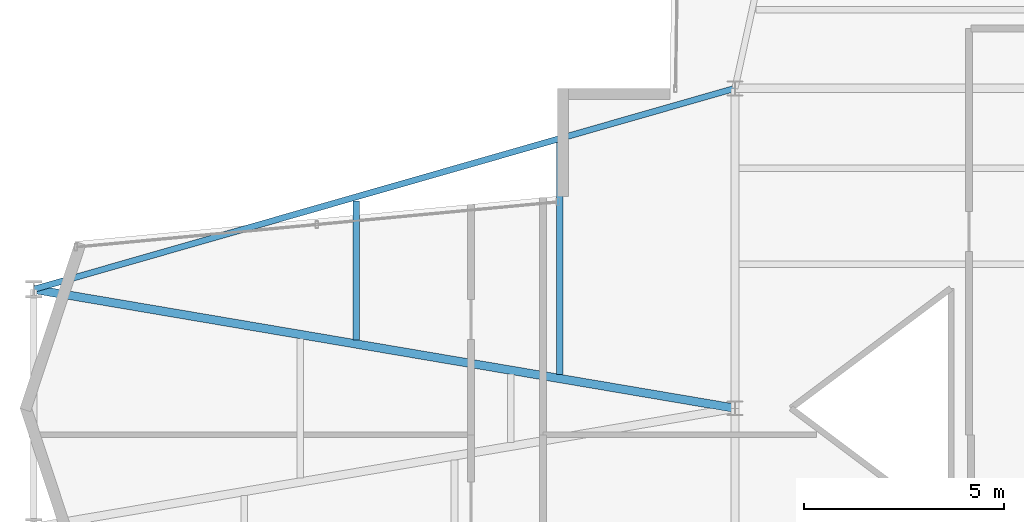
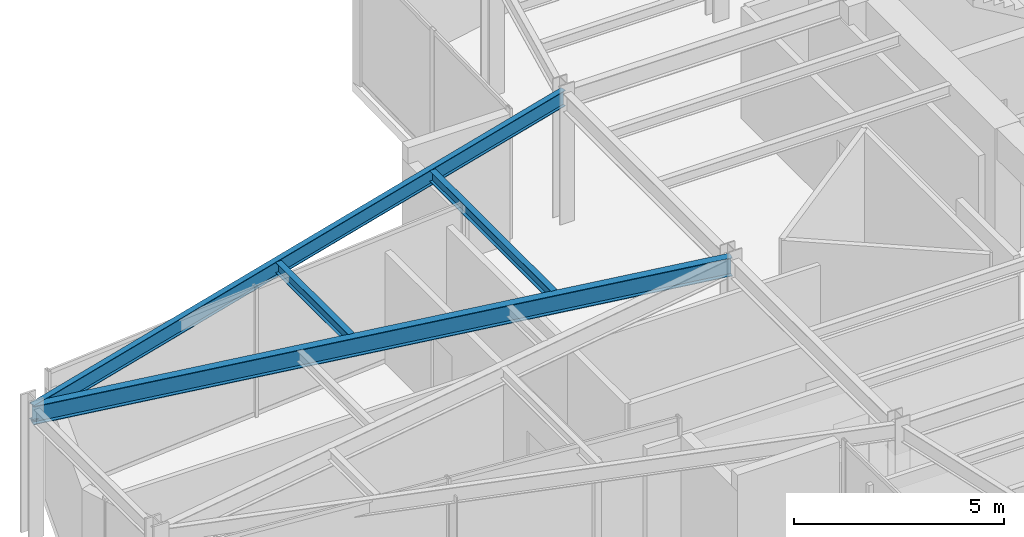
# One storey, part 9 of 24: 4 beams.
"""IFC4 building model written with IfcOpenShell, lengths in metres."""

from ifc_helpers import new_model, si_unit, direction, frame, origin, origin_2d, place, context, subcontext, project, spatial, i_section, extrude, material, material_profile, profile_set, type_object, element, save


model = new_model("IFC4")

# Units and contexts
model_context = context("Model", 3, precision=1e-05, world=origin(), true_north=direction((0.0, 1.0)))
body_context = subcontext(model_context, "Body", "Model", "MODEL_VIEW")
ifc_project = project(units=[si_unit("LENGTHUNIT", "METRE"), si_unit("AREAUNIT", "SQUARE_METRE"), si_unit("VOLUMEUNIT", "CUBIC_METRE"), si_unit("PLANEANGLEUNIT", "RADIAN"), si_unit("MASSUNIT", "GRAM", prefix="KILO")], contexts=[model_context])

# Site, building, storey
site_placement = place(None, origin())
site = spatial("IfcSite", under=ifc_project, at=site_placement, CompositionType="ELEMENT")
building_placement = place(site_placement, origin())
building = spatial("IfcBuilding", under=site, at=building_placement, Name="Veymaron Broadcast Tower", CompositionType="ELEMENT")
storey_placement = place(building_placement, frame((0.0, 0.0, 220.199951171875)))
storey = spatial("IfcBuildingStorey", under=building, at=storey_placement, Name="L51", CompositionType="ELEMENT", Elevation=220.199951171875)

# Beams
ifc_material = material(Name="Structural steel ASTM A992 Gr 50", Category="steel")
ifc_material_profile_1 = material_profile(ifc_material, i_section(OverallWidth=0.2099609375, OverallDepth=0.537109375, WebThickness=0.010986328125, FlangeThickness=0.017333984375, at=origin_2d()), Name="W530X101")
ifc_profile_set_1 = profile_set([ifc_material_profile_1], Name="Structural steel ASTM A992 Gr 50")
beam_type_1 = type_object("IfcBeamType", Name="BM-FG3", PredefinedType="BEAM", material=ifc_profile_set_1)
beam_1_placement = place(storey_placement, frame((13.6650390625, 26.97509765625, 3.521484375), z_axis=(0.985910023747, -0.167276492897, 0.0), x_axis=(0.167276492897, 0.985910023747, 0.0)))
element("IfcBeam", 1, at=beam_1_placement, inside=storey, type_object=beam_type_1, Name="L51 primary structural floor girder", PredefinedType="BEAM", context=body_context, shape_type="SweptSolid", body=[
    extrude(i_section(OverallWidth=0.2099609375, OverallDepth=0.537109375, WebThickness=0.010986328125, FlangeThickness=0.017333984375, at=origin_2d()), origin(), (0.0, 0.0, 1.0), 17.785400390625),
])
ifc_material_profile_2 = material_profile(ifc_material, i_section(OverallWidth=0.1650390625, OverallDepth=0.31005859375, WebThickness=0.005859375, FlangeThickness=0.009765625, at=origin_2d()), Name="W310X39")
ifc_profile_set_2 = profile_set([ifc_material_profile_2], Name="Structural steel ASTM A992 Gr 50")
beam_type_2 = type_object("IfcBeamType", Name="BM-JS3", PredefinedType="JOIST", material=ifc_profile_set_2)
beam_2_placement = place(storey_placement, frame((21.731201171875, 25.70654296875, 3.635009765625), z_axis=(0.0, 1.0, 0.0), x_axis=(-1.0, 0.0, 0.0)))
element("IfcBeam", 2, at=beam_2_placement, inside=storey, type_object=beam_type_2, Name="L51 Arm-A secondary joist 1N", PredefinedType="JOIST", context=body_context, shape_type="SweptSolid", body=[
    extrude(i_section(OverallWidth=0.1650390625, OverallDepth=0.31005859375, WebThickness=0.005859375, FlangeThickness=0.009765625, at=origin_2d()), origin(), (0.0, 0.0, 1.0), 3.47998046875),
])
beam_3_placement = place(storey_placement, frame((26.81640625, 24.84375, 3.635009765625), z_axis=(0.0, 1.0, 0.0), x_axis=(-1.0, 0.0, 0.0)))
element("IfcBeam", 3, at=beam_3_placement, inside=storey, type_object=beam_type_2, Name="L51 Arm-A secondary joist 2N", PredefinedType="JOIST", context=body_context, shape_type="SweptSolid", body=[
    extrude(i_section(OverallWidth=0.1650390625, OverallDepth=0.31005859375, WebThickness=0.005859375, FlangeThickness=0.009765625, at=origin_2d()), origin(), (0.0, 0.0, 1.0), 5.800048828125),
])
ifc_material_profile_3 = material_profile(ifc_material, i_section(OverallWidth=0.154052734375, OverallDepth=0.458984375, WebThickness=0.009033203125, FlangeThickness=0.015380859375, at=origin_2d()), Name="W460X68")
ifc_profile_set_3 = profile_set([ifc_material_profile_3], Name="Structural steel ASTM A992 Gr 50")
beam_type_3 = type_object("IfcBeamType", Name="BM-SP2", PredefinedType="SPANDREL", material=ifc_profile_set_3)
beam_4_placement = place(storey_placement, frame((13.6650390625, 26.97509765625, 3.560546875), z_axis=(0.961307479344, 0.27547764003, 0.0), x_axis=(-0.27547764003, 0.961307479344, 0.0)))
element("IfcBeam", 4, at=beam_4_placement, inside=storey, type_object=beam_type_3, Name="L51 primary structural floor girder", PredefinedType="SPANDREL", context=body_context, shape_type="SweptSolid", body=[
    extrude(i_section(OverallWidth=0.154052734375, OverallDepth=0.458984375, WebThickness=0.009033203125, FlangeThickness=0.015380859375, at=origin_2d()), origin(), (0.0, 0.0, 1.0), 18.24072265625),
])

save(model, "model.ifc")
